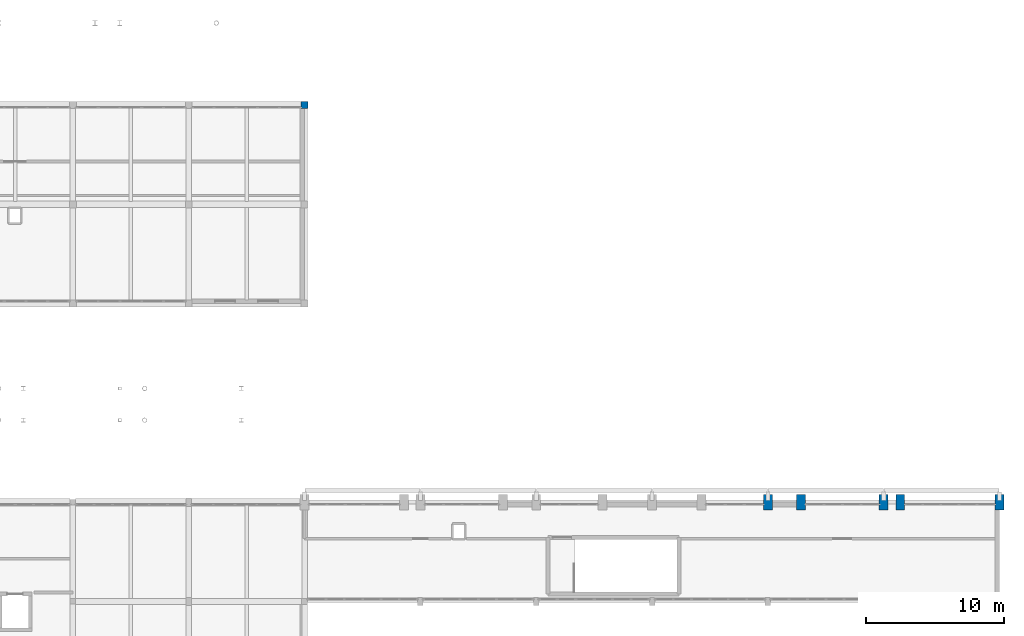
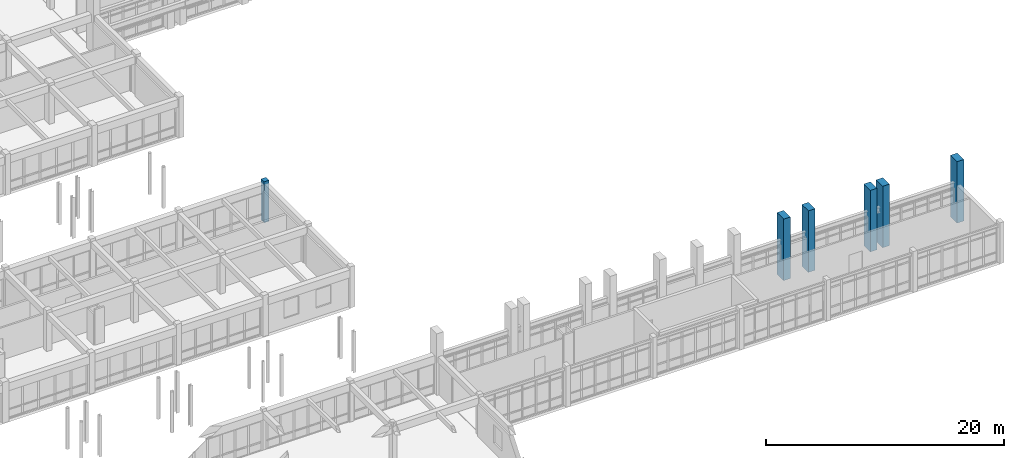
# One storey, part 30 of 147: 6 columns.
"""IFC4 building model written with IfcOpenShell, lengths in metres."""

from ifc_helpers import new_model, si_unit, direction, frame, origin, origin_2d, place, context, subcontext, project, spatial, rectangle, extrude, material, material_profile, profile_set, type_object, element, save


model = new_model("IFC4")

# Units and contexts
model_context = context("Model", 3, precision=1e-05, world=origin(), true_north=direction((0.0, 1.0)))
body_context = subcontext(model_context, "Body", "Model", "MODEL_VIEW")
ifc_project = project(units=[si_unit("LENGTHUNIT", "METRE"), si_unit("AREAUNIT", "SQUARE_METRE"), si_unit("VOLUMEUNIT", "CUBIC_METRE"), si_unit("PLANEANGLEUNIT", "RADIAN"), si_unit("MASSUNIT", "GRAM", prefix="KILO")], contexts=[model_context])

# Site, building, storey
site_placement = place(None, origin())
site = spatial("IfcSite", under=ifc_project, at=site_placement, CompositionType="ELEMENT")
building_placement = place(site_placement, origin())
building = spatial("IfcBuilding", under=site, at=building_placement, Name="Malvenik Polytechnic", CompositionType="ELEMENT")
storey_placement = place(building_placement, frame((0.0, 0.0, 5.10009765625)))
storey = spatial("IfcBuildingStorey", under=building, at=storey_placement, Name="L01", CompositionType="ELEMENT", Elevation=5.10009765625)

# Columns
ifc_material = material(Name="Concrete C35/45", Category="concrete")
ifc_material_profile_1 = material_profile(ifc_material, rectangle(XDim=0.5, YDim=0.5, at=origin_2d()), Name="RC COL 500x500")
ifc_profile_set_1 = profile_set([ifc_material_profile_1], Name="Concrete C35/45")
column_type_1 = type_object("IfcColumnType", Name="STR-COL-C-08", PredefinedType="COLUMN", material=ifc_profile_set_1)
column_placement = place(storey_placement, frame((134.39990234375, 64.800048828125, 0.0), z_axis=(0.0, 0.0, 1.0), x_axis=(1.0, 0.0, 0.0)))
element("IfcColumn", 1, at=column_placement, inside=storey, type_object=column_type_1, Name="Column C-08 L01 (134.4,64.8)", PredefinedType="COLUMN", context=body_context, shape_type="SweptSolid", body=[
    extrude(rectangle(XDim=0.5, YDim=0.5, at=origin_2d()), origin(), (0.0, 0.0, 1.0), 4.199951171875),
])
ifc_material_profile_2 = material_profile(ifc_material, rectangle(XDim=0.64990234375, YDim=1.10009765625, at=origin_2d()), Name="RC COL 1100x650")
ifc_profile_set_2 = profile_set([ifc_material_profile_2], Name="Concrete C35/45")
column_type_2 = type_object("IfcColumnType", Name="STR-COL-C-12", PredefinedType="COLUMN", material=ifc_profile_set_2)
for number, where, z_axis, x_axis, name in (
    (2, (168.0, 36.0, 0.0), (0.0, 0.0, 1.0), (1.0, 0.0, 0.0), "Column C-12 L01 (168.0,36.0)"),
    (3, (170.39990234375, 36.0, 0.0), (0.0, 0.0, 1.0), (1.0, 0.0, 0.0), "Column C-12 L01 (170.4,36.0)"),
    (4, (176.39990234375, 36.0, 0.0), (0.0, 0.0, 1.0), (1.0, 0.0, 0.0), "Column C-12 L01 (176.4,36.0)"),
    (5, (177.60009765625, 36.0, 0.0), (0.0, 0.0, 1.0), (1.0, 0.0, 0.0), "Column C-12 L01 (177.6,36.0)"),
    (6, (184.800048828125, 36.0, 0.0), (0.0, 0.0, 1.0), (1.0, 0.0, 0.0), "Column C-12 L01 (184.8,36.0)"),
):
    element("IfcColumn", number, at=place(storey_placement, frame(where, z_axis=z_axis, x_axis=x_axis)), inside=storey, type_object=column_type_2, Name=name, PredefinedType="COLUMN", context=body_context, shape_type="SweptSolid", body=[
        extrude(rectangle(XDim=0.64990234375, YDim=1.10009765625, at=origin_2d()), origin(), (0.0, 0.0, 1.0), 6.2998046875),
    ])

save(model, "model.ifc")
